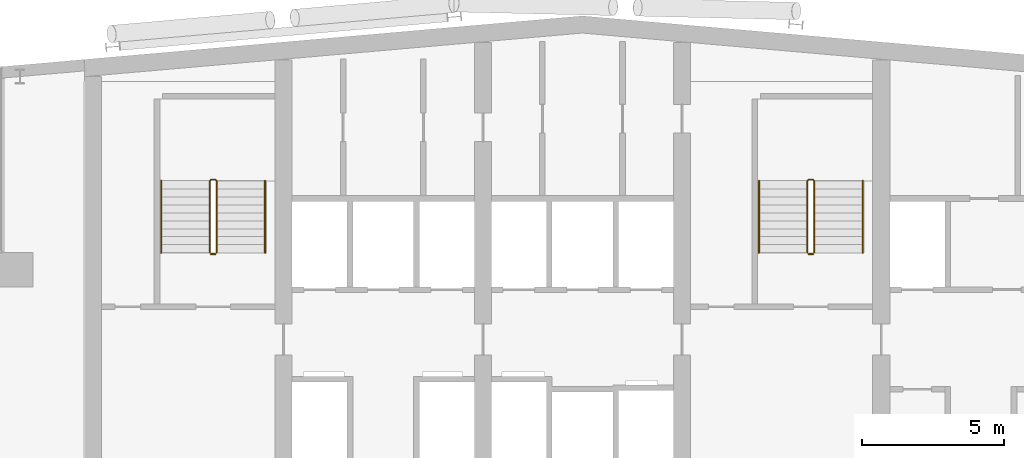
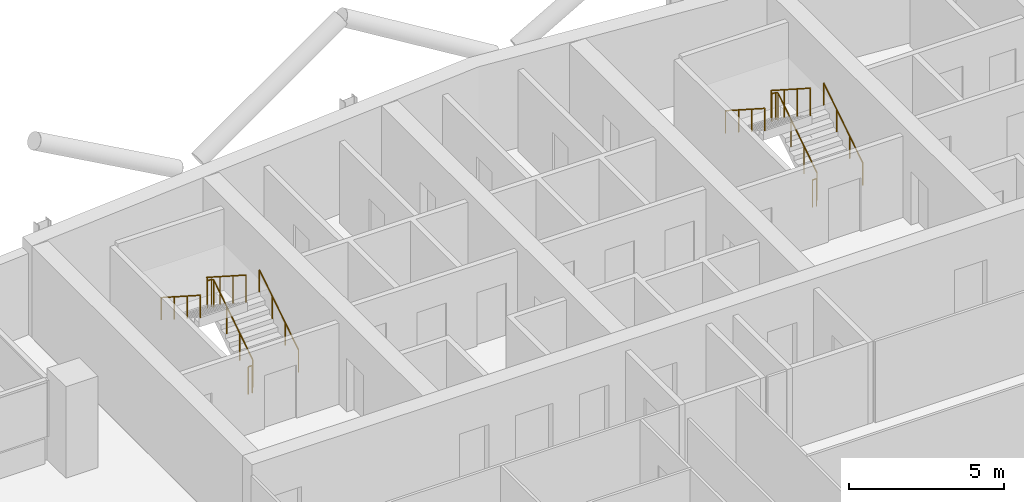
# One storey, part 27 of 27: 8 railings.
"""IFC4 building model written with IfcOpenShell, lengths in metres."""

from ifc_helpers import new_model, si_unit, direction, frame, origin, origin_2d, place, context, subcontext, project, spatial, circle, extrude, material, type_object, element, save


model = new_model("IFC4")

# Units and contexts
model_context = context("Model", 3, precision=1e-05, world=origin(), true_north=direction((0.0, 1.0)))
body_context = subcontext(model_context, "Body", "Model", "MODEL_VIEW")
ifc_project = project(units=[si_unit("LENGTHUNIT", "METRE"), si_unit("AREAUNIT", "SQUARE_METRE"), si_unit("VOLUMEUNIT", "CUBIC_METRE"), si_unit("PLANEANGLEUNIT", "RADIAN"), si_unit("MASSUNIT", "GRAM", prefix="KILO")], contexts=[model_context])

# Site, building, storey
site_placement = place(None, origin())
site = spatial("IfcSite", under=ifc_project, at=site_placement, CompositionType="ELEMENT")
building_placement = place(site_placement, origin())
building = spatial("IfcBuilding", under=site, at=building_placement, Name="Wharfspan Tower", CompositionType="ELEMENT")
storey_placement = place(building_placement, frame((0.0, 0.0, 228.699951)))
storey = spatial("IfcBuildingStorey", under=building, at=storey_placement, Name="L57", CompositionType="ELEMENT", Elevation=228.699951)

# Railings
ifc_material = material(Name="Steel S355J2", Category="steel")
railing_type_1 = type_object("IfcRailingType", Name="Stair guard 1100", PredefinedType="GUARDRAIL", material=ifc_material)
railing_1_placement = place(storey_placement, frame((27.649902, 42.0, 0.179932)))
element("IfcRailing", 1, at=railing_1_placement, inside=storey, type_object=railing_type_1, Name="L57 ST1 stair guard 1", PredefinedType="GUARDRAIL", context=body_context, shape_type="SweptSolid", body=[
    extrude(circle(Radius=0.023926, at=origin_2d()), frame((0.0, 0.0, 1.076172), z_axis=(0.0, 0.841163, 0.540782), x_axis=(-1.0, 0.0, 0.0)), (0.0, 0.0, 1.0), 2.99585),
    extrude(circle(Radius=0.023926, at=origin_2d()), frame((0.0, 2.52002, 2.696289), z_axis=(-0.705376, 0.708834, 0.0), x_axis=(-0.708834, -0.705376, 0.0)), (0.0, 0.0, 1.0), 0.070557),
    extrude(circle(Radius=0.023926, at=origin_2d()), frame((-0.049805, 2.570068, 2.696289), z_axis=(-1.0, 0.0, 0.0), x_axis=(0.0, -1.0, 0.0)), (0.0, 0.0, 1.0), 0.150146),
    extrude(circle(Radius=0.023926, at=origin_2d()), frame((-0.199951, 2.570068, 2.696289), z_axis=(-0.258848, -0.258848, 0.930589), x_axis=(0.707107, -0.707107, 0.0)), (0.0, 0.0, 1.0), 0.193359),
    extrude(circle(Radius=0.023926, at=origin_2d()), frame((-0.25, 2.52002, 2.875977), z_axis=(0.0, -0.841163, 0.540782), x_axis=(1.0, 0.0, 0.0)), (0.0, 0.0, 1.0), 2.99585),
    extrude(circle(Radius=0.020996, at=origin_2d()), origin(), (0.0, 0.0, 1.0), 1.052002),
    extrude(circle(Radius=0.020996, at=origin_2d()), frame((0.0, 0.840088, 0.540039)), (0.0, 0.0, 1.0), 1.052002),
    extrude(circle(Radius=0.020996, at=origin_2d()), frame((0.0, 1.679932, 1.080078)), (0.0, 0.0, 1.0), 1.052002),
    extrude(circle(Radius=0.020996, at=origin_2d()), frame((0.0, 2.52002, 1.620117)), (0.0, 0.0, 1.0), 1.052002),
    extrude(circle(Radius=0.020996, at=origin_2d()), frame((-0.049805, 2.570068, 1.620117)), (0.0, 0.0, 1.0), 1.052002),
    extrude(circle(Radius=0.020996, at=origin_2d()), frame((-0.199951, 2.570068, 1.620117)), (0.0, 0.0, 1.0), 1.052002),
    extrude(circle(Radius=0.020996, at=origin_2d()), frame((-0.25, 2.52002, 1.800049)), (0.0, 0.0, 1.0), 1.052002),
    extrude(circle(Radius=0.020996, at=origin_2d()), frame((-0.25, 1.679932, 2.340088)), (0.0, 0.0, 1.0), 1.052002),
    extrude(circle(Radius=0.020996, at=origin_2d()), frame((-0.25, 0.840088, 2.880127)), (0.0, 0.0, 1.0), 1.052002),
    extrude(circle(Radius=0.020996, at=origin_2d()), frame((-0.25, 0.0, 3.420166)), (0.0, 0.0, 1.0), 1.052002),
])
railing_2_placement = place(storey_placement, frame((27.600098, 41.949951, 0.0)))
element("IfcRailing", 2, at=railing_2_placement, inside=storey, type_object=railing_type_1, Name="L57 ST1 stair guard 2", PredefinedType="GUARDRAIL", context=body_context, shape_type="SweptSolid", body=[
    extrude(circle(Radius=0.023926, at=origin_2d()), frame((0.0, 0.0, 1.076172), z_axis=(-1.0, 0.0, 0.0), x_axis=(0.0, -1.0, 0.0)), (0.0, 0.0, 1.0), 0.150146),
    extrude(circle(Radius=0.020996, at=origin_2d()), origin(), (0.0, 0.0, 1.0), 1.052002),
    extrude(circle(Radius=0.020996, at=origin_2d()), frame((-0.150146, 0.0, 0.0)), (0.0, 0.0, 1.0), 1.052002),
])
railing_3_placement = place(storey_placement, frame((48.649902, 42.0, 0.179932)))
element("IfcRailing", 3, at=railing_3_placement, inside=storey, type_object=railing_type_1, Name="L57 ST2 stair guard 1", PredefinedType="GUARDRAIL", context=body_context, shape_type="SweptSolid", body=[
    extrude(circle(Radius=0.023926, at=origin_2d()), frame((0.0, 0.0, 1.076172), z_axis=(0.0, 0.841163, 0.540782), x_axis=(-1.0, 0.0, 0.0)), (0.0, 0.0, 1.0), 2.99585),
    extrude(circle(Radius=0.023926, at=origin_2d()), frame((0.0, 2.52002, 2.696289), z_axis=(-0.705376, 0.708834, 0.0), x_axis=(-0.708834, -0.705376, 0.0)), (0.0, 0.0, 1.0), 0.070557),
    extrude(circle(Radius=0.023926, at=origin_2d()), frame((-0.049805, 2.570068, 2.696289), z_axis=(-1.0, 0.0, 0.0), x_axis=(0.0, -1.0, 0.0)), (0.0, 0.0, 1.0), 0.150146),
    extrude(circle(Radius=0.023926, at=origin_2d()), frame((-0.199951, 2.570068, 2.696289), z_axis=(-0.258848, -0.258848, 0.930589), x_axis=(0.707107, -0.707107, 0.0)), (0.0, 0.0, 1.0), 0.193359),
    extrude(circle(Radius=0.023926, at=origin_2d()), frame((-0.25, 2.52002, 2.875977), z_axis=(0.0, -0.841163, 0.540782), x_axis=(1.0, 0.0, 0.0)), (0.0, 0.0, 1.0), 2.99585),
    extrude(circle(Radius=0.020996, at=origin_2d()), origin(), (0.0, 0.0, 1.0), 1.052002),
    extrude(circle(Radius=0.020996, at=origin_2d()), frame((0.0, 0.840088, 0.540039)), (0.0, 0.0, 1.0), 1.052002),
    extrude(circle(Radius=0.020996, at=origin_2d()), frame((0.0, 1.679932, 1.080078)), (0.0, 0.0, 1.0), 1.052002),
    extrude(circle(Radius=0.020996, at=origin_2d()), frame((0.0, 2.52002, 1.620117)), (0.0, 0.0, 1.0), 1.052002),
    extrude(circle(Radius=0.020996, at=origin_2d()), frame((-0.049805, 2.570068, 1.620117)), (0.0, 0.0, 1.0), 1.052002),
    extrude(circle(Radius=0.020996, at=origin_2d()), frame((-0.199951, 2.570068, 1.620117)), (0.0, 0.0, 1.0), 1.052002),
    extrude(circle(Radius=0.020996, at=origin_2d()), frame((-0.25, 2.52002, 1.800049)), (0.0, 0.0, 1.0), 1.052002),
    extrude(circle(Radius=0.020996, at=origin_2d()), frame((-0.25, 1.679932, 2.340088)), (0.0, 0.0, 1.0), 1.052002),
    extrude(circle(Radius=0.020996, at=origin_2d()), frame((-0.25, 0.840088, 2.880127)), (0.0, 0.0, 1.0), 1.052002),
    extrude(circle(Radius=0.020996, at=origin_2d()), frame((-0.25, 0.0, 3.420166)), (0.0, 0.0, 1.0), 1.052002),
])
railing_4_placement = place(storey_placement, frame((48.600098, 41.949951, 0.0)))
element("IfcRailing", 4, at=railing_4_placement, inside=storey, type_object=railing_type_1, Name="L57 ST2 stair guard 2", PredefinedType="GUARDRAIL", context=body_context, shape_type="SweptSolid", body=[
    extrude(circle(Radius=0.023926, at=origin_2d()), frame((0.0, 0.0, 1.076172), z_axis=(-1.0, 0.0, 0.0), x_axis=(0.0, -1.0, 0.0)), (0.0, 0.0, 1.0), 0.150146),
    extrude(circle(Radius=0.020996, at=origin_2d()), origin(), (0.0, 0.0, 1.0), 1.052002),
    extrude(circle(Radius=0.020996, at=origin_2d()), frame((-0.150146, 0.0, 0.0)), (0.0, 0.0, 1.0), 1.052002),
])
railing_type_2 = type_object("IfcRailingType", Name="Stair handrail 900", PredefinedType="HANDRAIL", material=ifc_material)
railing_5_placement = place(storey_placement, frame((29.350098, 42.0, 0.179932)))
element("IfcRailing", 5, at=railing_5_placement, inside=storey, type_object=railing_type_2, Name="L57 ST1 stair handrail 1", PredefinedType="HANDRAIL", context=body_context, shape_type="SweptSolid", body=[
    extrude(circle(Radius=0.023926, at=origin_2d()), frame((0.0, 0.0, 0.875977), z_axis=(0.0, 0.841163, 0.540782), x_axis=(-1.0, 0.0, 0.0)), (0.0, 0.0, 1.0), 2.99585),
    extrude(circle(Radius=0.020996, at=origin_2d()), origin(), (0.0, 0.0, 1.0), 0.851807),
    extrude(circle(Radius=0.020996, at=origin_2d()), frame((0.0, 0.840088, 0.540039)), (0.0, 0.0, 1.0), 0.851807),
    extrude(circle(Radius=0.020996, at=origin_2d()), frame((0.0, 1.679932, 1.080078)), (0.0, 0.0, 1.0), 0.851807),
    extrude(circle(Radius=0.020996, at=origin_2d()), frame((0.0, 2.52002, 1.620117)), (0.0, 0.0, 1.0), 0.851807),
])
railing_6_placement = place(storey_placement, frame((25.699951, 44.52002, 1.97998)))
element("IfcRailing", 6, at=railing_6_placement, inside=storey, type_object=railing_type_2, Name="L57 ST1 stair handrail 2", PredefinedType="HANDRAIL", context=body_context, shape_type="SweptSolid", body=[
    extrude(circle(Radius=0.023926, at=origin_2d()), frame((0.0, 0.0, 0.875977), z_axis=(0.0, -0.841163, 0.540782), x_axis=(1.0, 0.0, 0.0)), (0.0, 0.0, 1.0), 2.99585),
    extrude(circle(Radius=0.020996, at=origin_2d()), origin(), (0.0, 0.0, 1.0), 0.851807),
    extrude(circle(Radius=0.020996, at=origin_2d()), frame((0.0, -0.840088, 0.540039)), (0.0, 0.0, 1.0), 0.851807),
    extrude(circle(Radius=0.020996, at=origin_2d()), frame((0.0, -1.679932, 1.080078)), (0.0, 0.0, 1.0), 0.851807),
    extrude(circle(Radius=0.020996, at=origin_2d()), frame((0.0, -2.52002, 1.620117)), (0.0, 0.0, 1.0), 0.851807),
])
railing_7_placement = place(storey_placement, frame((50.350098, 42.0, 0.179932)))
element("IfcRailing", 7, at=railing_7_placement, inside=storey, type_object=railing_type_2, Name="L57 ST2 stair handrail 1", PredefinedType="HANDRAIL", context=body_context, shape_type="SweptSolid", body=[
    extrude(circle(Radius=0.023926, at=origin_2d()), frame((0.0, 0.0, 0.875977), z_axis=(0.0, 0.841163, 0.540782), x_axis=(-1.0, 0.0, 0.0)), (0.0, 0.0, 1.0), 2.99585),
    extrude(circle(Radius=0.020996, at=origin_2d()), origin(), (0.0, 0.0, 1.0), 0.851807),
    extrude(circle(Radius=0.020996, at=origin_2d()), frame((0.0, 0.840088, 0.540039)), (0.0, 0.0, 1.0), 0.851807),
    extrude(circle(Radius=0.020996, at=origin_2d()), frame((0.0, 1.679932, 1.080078)), (0.0, 0.0, 1.0), 0.851807),
    extrude(circle(Radius=0.020996, at=origin_2d()), frame((0.0, 2.52002, 1.620117)), (0.0, 0.0, 1.0), 0.851807),
])
railing_8_placement = place(storey_placement, frame((46.699951, 44.52002, 1.97998)))
element("IfcRailing", 8, at=railing_8_placement, inside=storey, type_object=railing_type_2, Name="L57 ST2 stair handrail 2", PredefinedType="HANDRAIL", context=body_context, shape_type="SweptSolid", body=[
    extrude(circle(Radius=0.023926, at=origin_2d()), frame((0.0, 0.0, 0.875977), z_axis=(0.0, -0.841163, 0.540782), x_axis=(1.0, 0.0, 0.0)), (0.0, 0.0, 1.0), 2.99585),
    extrude(circle(Radius=0.020996, at=origin_2d()), origin(), (0.0, 0.0, 1.0), 0.851807),
    extrude(circle(Radius=0.020996, at=origin_2d()), frame((0.0, -0.840088, 0.540039)), (0.0, 0.0, 1.0), 0.851807),
    extrude(circle(Radius=0.020996, at=origin_2d()), frame((0.0, -1.679932, 1.080078)), (0.0, 0.0, 1.0), 0.851807),
    extrude(circle(Radius=0.020996, at=origin_2d()), frame((0.0, -2.52002, 1.620117)), (0.0, 0.0, 1.0), 0.851807),
])

save(model, "model.ifc")
